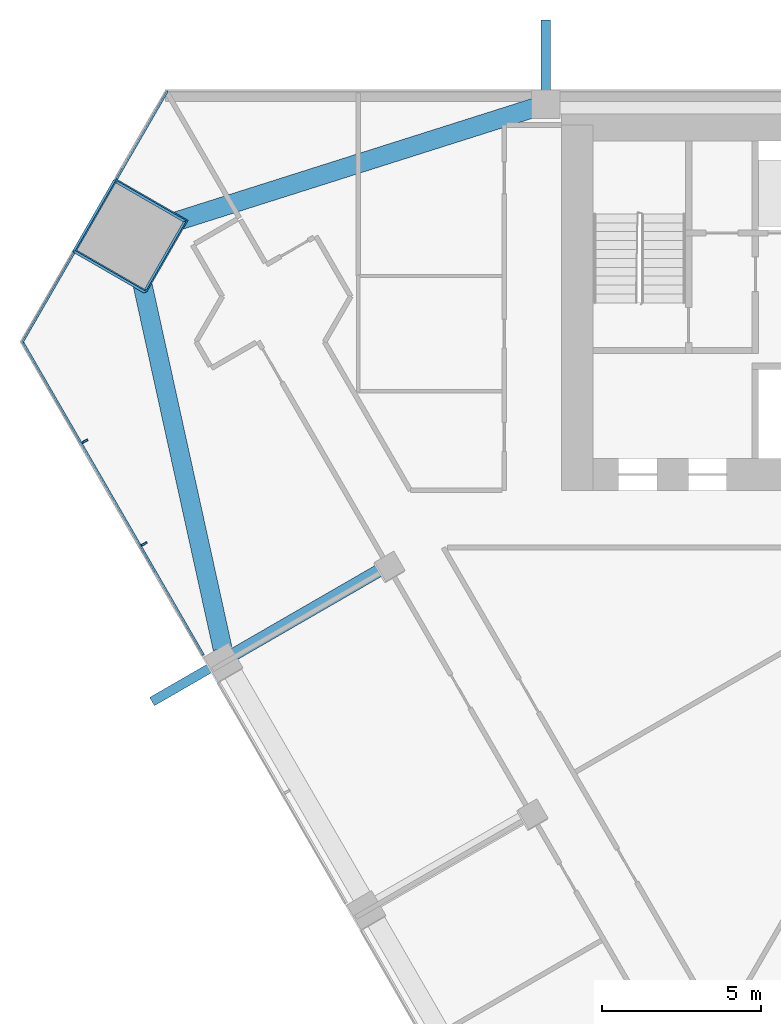
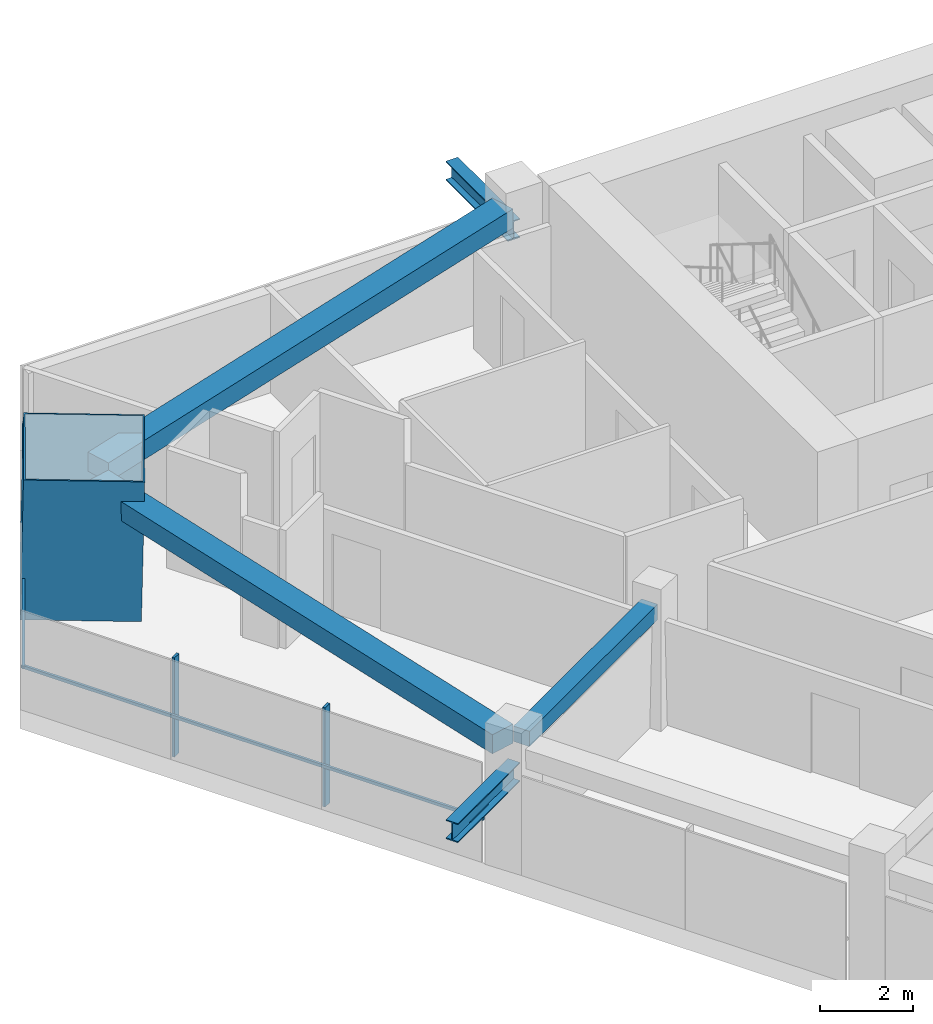
# One storey, part 5 of 13: 8 members, 3 beams, 2 elements without a shape of their own.
"""IFC4 building model written with IfcOpenShell, lengths in metres."""

from ifc_helpers import new_model, si_unit, direction, frame, origin, origin_2d, place, context, subcontext, project, spatial, rectangle, hollow_rectangle, i_section, extrude, material, layer, layer_set, material_profile, profile_set, type_object, element, aggregate, save


model = new_model("IFC4")

# Units and contexts
model_context = context("Model", 3, precision=1e-05, world=origin(), true_north=direction((0.0, 1.0)))
body_context = subcontext(model_context, "Body", "Model", "MODEL_VIEW")
ifc_project = project(units=[si_unit("LENGTHUNIT", "METRE"), si_unit("AREAUNIT", "SQUARE_METRE"), si_unit("VOLUMEUNIT", "CUBIC_METRE"), si_unit("PLANEANGLEUNIT", "RADIAN"), si_unit("MASSUNIT", "GRAM", prefix="KILO")], contexts=[model_context])

# Site, building, storey
site_placement = place(None, origin())
site = spatial("IfcSite", under=ifc_project, at=site_placement, CompositionType="ELEMENT")
building_placement = place(site_placement, origin())
building = spatial("IfcBuilding", under=site, at=building_placement, Name="Altiplano Prism Tower", CompositionType="ELEMENT")
storey_placement = place(building_placement, frame((0.0, 0.0, 66.60009765625)))
storey = spatial("IfcBuildingStorey", under=building, at=storey_placement, Name="L16", CompositionType="ELEMENT", Elevation=66.60009765625)

# Members
ifc_material_1 = material(Name="Steel S355", Category="steel")
ifc_material_profile_1 = material_profile(ifc_material_1, i_section(OverallWidth=0.300048828125, OverallDepth=0.5, WebThickness=0.014404296875, FlangeThickness=0.028076171875, FilletRadius=0.027099609375, at=origin_2d()), Name="Brace bracket HEB 500")
ifc_profile_set_1 = profile_set([ifc_material_profile_1], Name="Steel S355")
member_type_1 = type_object("IfcMemberType", Name="Brace bracket HEB 500", PredefinedType="STRUT", material=ifc_profile_set_1)
for number, where, z_axis, x_axis, name in (
    (1, (71.5, 104.550048828125, 2.220458984375), (0.0, 1.0, 0.0), (-1.0, 0.0, 0.0), "Brace bracket 0.70.2"),
    (2, (61.4130859375, 87.078857421875, 2.223388671875), (-0.866029095148, -0.499993606316, 0.0), (0.499993606316, -0.866029095148, 0.0), "Brace bracket 1.70.2"),
):
    element("IfcMember", number, at=place(storey_placement, frame(where, z_axis=z_axis, x_axis=x_axis)), inside=storey, type_object=member_type_1, Name=name, PredefinedType="STRUT", context=body_context, shape_type="SweptSolid", body=[
        extrude(i_section(OverallWidth=0.300048828125, OverallDepth=0.5, WebThickness=0.014404296875, FlangeThickness=0.028076171875, FilletRadius=0.027099609375, at=origin_2d()), origin(), (0.0, 0.0, 1.0), 2.64990234375),
    ])

# Curtain wall, members
ifc_material_2 = material(Name="Aluminium and glass", Category="aluminium")
ifc_layer = layer(ifc_material_2, 0.303955078125)
ifc_layer_set = layer_set([ifc_layer], Name="Aluminium and glass")
curtain_wall_type = type_object("IfcCurtainWallType", Name="CW2 lounge-band unitised glazing", PredefinedType="NOTDEFINED", material=ifc_layer_set)
curtain_wall_1_placement = place(storey_placement, origin())
curtain_wall_1 = element("IfcCurtainWall", 3, at=curtain_wall_1_placement, inside=storey, type_object=curtain_wall_type, Name="CW2 curtain wall south-west face L16", PredefinedType="NOTDEFINED")
ifc_material_3 = material(Name="Aluminium", Category="aluminium")
ifc_material_profile_2 = material_profile(ifc_material_3, rectangle(XDim=0.199951171875, YDim=0.06005859375, at=origin_2d()), Name="CW2 mullion 60 x 200")
ifc_profile_set_2 = profile_set([ifc_material_profile_2], Name="Aluminium")
member_type_2 = type_object("IfcMemberType", Name="CW2 mullion 60 x 200", PredefinedType="MULLION", material=ifc_profile_set_2)
member_1_placement = place(storey_placement, frame((57.005126953125, 93.94482421875, 0.0), z_axis=(0.0, 0.0, 1.0), x_axis=(0.866025408994, 0.499999990976, 0.0)))
member_1 = element("IfcMember", 4, at=member_1_placement, type_object=member_type_2, Name="CW2 mullion", PredefinedType="MULLION", context=body_context, shape_type="SweptSolid", body=[
    extrude(rectangle(XDim=0.199951171875, YDim=0.06005859375, at=origin_2d()), origin(), (0.0, 0.0, 1.0), 2.599853515625),
])
member_2_placement = place(storey_placement, frame((58.8701171875, 90.71435546875, 0.0), z_axis=(0.0, 0.0, 1.0), x_axis=(0.866025408994, 0.499999990976, 0.0)))
member_2 = element("IfcMember", 5, at=member_2_placement, type_object=member_type_2, Name="CW2 mullion", PredefinedType="MULLION", context=body_context, shape_type="SweptSolid", body=[
    extrude(rectangle(XDim=0.199951171875, YDim=0.06005859375, at=origin_2d()), origin(), (0.0, 0.0, 1.0), 2.599853515625),
])

curtain_wall_2_placement = place(storey_placement, origin())
curtain_wall_2 = element("IfcCurtainWall", 6, at=curtain_wall_2_placement, inside=storey, type_object=curtain_wall_type, Name="CW2 curtain wall north-west chamfer L16", PredefinedType="NOTDEFINED")
ifc_material_profile_3 = material_profile(ifc_material_3, rectangle(XDim=0.06005859375, YDim=0.080078125, at=origin_2d()), Name="CW2 transom 80 x 60")
ifc_profile_set_3 = profile_set([ifc_material_profile_3], Name="Aluminium")
member_type_3 = type_object("IfcMemberType", Name="CW2 transom 80 x 60", PredefinedType="USERDEFINED", material=ifc_profile_set_3)
member_3_placement = place(storey_placement, frame((59.60400390625, 104.962890625, 1.099853515625), z_axis=(-0.499967078895, -0.866044409959, 0.0), x_axis=(0.866044409959, -0.499967078895, 0.0)))
member_3 = element("IfcMember", 7, at=member_3_placement, type_object=member_type_3, Name="CW2 transom", ObjectType="TRANSOM", PredefinedType="USERDEFINED", context=body_context, shape_type="SweptSolid", body=[
    extrude(rectangle(XDim=0.06005859375, YDim=0.080078125, at=origin_2d()), origin(), (0.0, 0.0, 1.0), 3.196533203125),
])
member_4_placement = place(storey_placement, frame((56.665771484375, 99.873779296875, 1.099853515625), z_axis=(-0.499993320981, -0.866029259884, 0.0), x_axis=(0.866029259884, -0.499993320981, 0.0)))
member_4 = element("IfcMember", 8, at=member_4_placement, type_object=member_type_3, Name="CW2 transom", ObjectType="TRANSOM", PredefinedType="USERDEFINED", context=body_context, shape_type="SweptSolid", body=[
    extrude(rectangle(XDim=0.06005859375, YDim=0.080078125, at=origin_2d()), origin(), (0.0, 0.0, 1.0), 3.27685546875),
])
aggregate(curtain_wall_2, [member_3, member_4])

# Member
member_5_placement = place(storey_placement, frame((55.02734375, 97.10986328125, 1.099853515625), z_axis=(0.50001211022, -0.866018411832, 0.0), x_axis=(0.866018411832, 0.50001211022, 0.0)))
member_5 = element("IfcMember", 9, at=member_5_placement, type_object=member_type_3, Name="CW2 transom", ObjectType="TRANSOM", PredefinedType="USERDEFINED", context=body_context, shape_type="SweptSolid", body=[
    extrude(rectangle(XDim=0.06005859375, YDim=0.080078125, at=origin_2d()), origin(), (0.0, 0.0, 1.0), 11.430419921875),
])

aggregate(curtain_wall_1, [member_1, member_2, member_5])

# Beams
ifc_material_4 = material(Name="Concrete C60/75", Category="concrete")
ifc_material_profile_4 = material_profile(ifc_material_4, rectangle(XDim=0.60009765625, YDim=0.5, at=origin_2d()), Name="Edge beam 600x500")
ifc_profile_set_4 = profile_set([ifc_material_profile_4], Name="Concrete C60/75")
beam_type_1 = type_object("IfcBeamType", Name="Edge beam 600x500", PredefinedType="SPANDREL", material=ifc_profile_set_4)
for number, where, z_axis, x_axis, name in (
    (10, (71.164306640625, 104.443603515625, 2.849853515625), (-0.953191000521, -0.302368841855, 0.0), (0.302368841855, -0.953191000521, 0.0), "Edge beam P04-M0 L17"),
    (11, (58.576416015625, 99.980224609375, 2.849853515625), (0.214740431679, -0.97667115602, 0.0), (0.97667115602, 0.214740431679, 0.0), "Edge beam M0-P11 L17"),
):
    element("IfcBeam", number, at=place(storey_placement, frame(where, z_axis=z_axis, x_axis=x_axis)), inside=storey, type_object=beam_type_1, Name=name, PredefinedType="SPANDREL", context=body_context, shape_type="SweptSolid", body=[
        extrude(rectangle(XDim=0.60009765625, YDim=0.5, at=origin_2d()), origin(), (0.0, 0.0, 1.0), 12.857421875),
    ])

# Member
ifc_material_5 = material(Name="Steel S460", Category="steel")
ifc_material_profile_5 = material_profile(ifc_material_5, hollow_rectangle(XDim=2.60009765625, YDim=2.60009765625, WallThickness=0.0400390625, at=origin_2d()), Name="Mega column tube 2600")
ifc_profile_set_5 = profile_set([ifc_material_profile_5], Name="Steel S460")
member_type_4 = type_object("IfcMemberType", Name="Mega column tube 2600", PredefinedType="POST", material=ifc_profile_set_5)
member_6_placement = place(storey_placement, frame((58.37744140625, 100.386474609375, 0.0), z_axis=(0.028403721265, 0.009287135593, 0.999553389135), x_axis=(-0.866201912335, 0.499294738625, 0.019975260907)))
element("IfcMember", 12, at=member_6_placement, inside=storey, type_object=member_type_4, Name="Mega column tube M0 L16", PredefinedType="POST", context=body_context, shape_type="SweptSolid", body=[
    extrude(hollow_rectangle(XDim=2.60009765625, YDim=2.60009765625, WallThickness=0.0400390625, at=origin_2d()), origin(), (0.0, 0.0, 1.0), 3.6015625),
])

# Beam
ifc_material_profile_6 = material_profile(ifc_material_4, rectangle(XDim=0.39990234375, YDim=0.39990234375, at=origin_2d()), Name="Tie beam 400x400")
ifc_profile_set_6 = profile_set([ifc_material_profile_6], Name="Concrete C60/75")
beam_type_2 = type_object("IfcBeamType", Name="Tie beam 400x400", PredefinedType="BEAM", material=ifc_profile_set_6)
beam_placement = place(storey_placement, frame((66.453369140625, 89.989013671875, 2.89990234375), z_axis=(-0.866023410697, -0.500003452112, 0.0), x_axis=(0.500003452112, -0.866023410697, 0.0)))
element("IfcBeam", 13, at=beam_placement, inside=storey, type_object=beam_type_2, Name="Tie beam I11 L17", PredefinedType="BEAM", context=body_context, shape_type="SweptSolid", body=[
    extrude(rectangle(XDim=0.39990234375, YDim=0.39990234375, at=origin_2d()), origin(), (0.0, 0.0, 1.0), 5.490234375),
])

save(model, "model.ifc")
